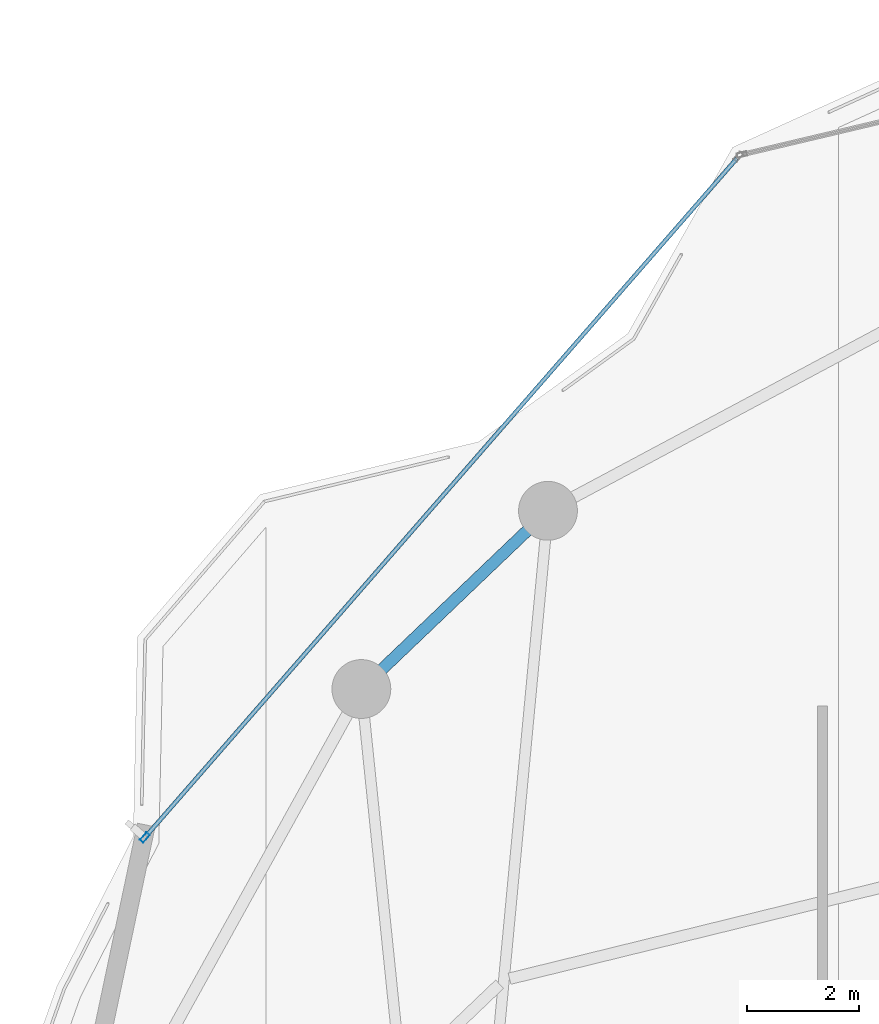
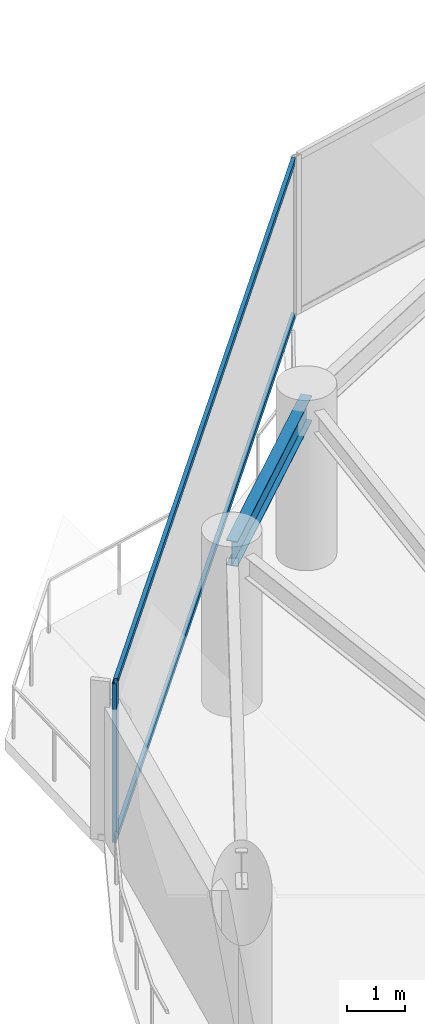
# One storey, part 16 of 28: 3 members, 1 beam, 1 element without a shape of its own.
"""IFC4 building model written with IfcOpenShell, lengths in metres."""

from ifc_helpers import new_model, si_unit, direction, frame, origin, origin_2d, place, context, subcontext, project, spatial, hollow_rectangle, i_section, extrude, material, layer, layer_set, material_profile, profile_set, type_object, element, aggregate, save


model = new_model("IFC4")

# Units and contexts
model_context = context("Model", 3, precision=1e-05, world=origin(), true_north=direction((0.0, 1.0)))
body_context = subcontext(model_context, "Body", "Model", "MODEL_VIEW")
ifc_project = project(units=[si_unit("LENGTHUNIT", "METRE"), si_unit("AREAUNIT", "SQUARE_METRE"), si_unit("VOLUMEUNIT", "CUBIC_METRE"), si_unit("PLANEANGLEUNIT", "RADIAN"), si_unit("MASSUNIT", "GRAM", prefix="KILO")], contexts=[model_context])

# Site, building, storey
site_placement = place(None, origin())
site = spatial("IfcSite", under=ifc_project, at=site_placement, CompositionType="ELEMENT")
building_placement = place(site_placement, origin())
building = spatial("IfcBuilding", under=site, at=building_placement, Name="Kazevale Care Tower and Concert Hall", CompositionType="ELEMENT")
storey_placement = place(building_placement, frame((0.0, 0.0, 246.0)))
storey = spatial("IfcBuildingStorey", under=building, at=storey_placement, Name="L65", CompositionType="ELEMENT", Elevation=246.0)

# Curtain wall, members
ifc_material_1 = material(Name="Aluminium 6063-T6 and Low-E Glass", Category="aluminium")
ifc_layer = layer(ifc_material_1, 0.179931640625)
ifc_layer_set = layer_set([ifc_layer], Name="Aluminium 6063-T6 and Low-E Glass")
curtain_wall_type = type_object("IfcCurtainWallType", Name="Convex Checkerboard Finned Curtain Wall CW-2", PredefinedType="NOTDEFINED", material=ifc_layer_set)
curtain_wall_placement = place(storey_placement, origin())
curtain_wall = element("IfcCurtainWall", 1, at=curtain_wall_placement, inside=storey, type_object=curtain_wall_type, Name="cw:L65:f14", PredefinedType="NOTDEFINED")
ifc_material_2 = material(Name="Aluminium 6063-T6", Category="aluminium")
ifc_material_profile_1 = material_profile(ifc_material_2, hollow_rectangle(XDim=0.080078125, YDim=0.179931640625, WallThickness=0.0048828125, at=origin_2d()), Name="ALU80x180x5")
ifc_profile_set_1 = profile_set([ifc_material_profile_1], Name="Aluminium 6063-T6")
member_type_1 = type_object("IfcMemberType", Name="CW-2 Mullion ALU80x180x5", PredefinedType="MULLION", material=ifc_profile_set_1)
member_1_placement = place(storey_placement, frame((16.55419921875, 49.17919921875, 0.0), z_axis=(0.0, 0.0, 1.0), x_axis=(-0.753738225685, 0.657174776708, 0.0)))
member_1 = element("IfcMember", 2, at=member_1_placement, type_object=member_type_1, Name="CW-2 mullion 1", PredefinedType="MULLION", context=body_context, shape_type="SweptSolid", body=[
    extrude(hollow_rectangle(XDim=0.080078125, YDim=0.179931640625, WallThickness=0.0048828125, at=origin_2d()), origin(), (0.0, 0.0, 1.0), 3.360107421875),
])
ifc_material_profile_2 = material_profile(ifc_material_2, hollow_rectangle(XDim=0.074951171875, YDim=0.1201171875, WallThickness=0.00390625, at=origin_2d()), Name="ALU75x120x4")
ifc_profile_set_2 = profile_set([ifc_material_profile_2], Name="Aluminium 6063-T6")
member_type_2 = type_object("IfcMemberType", Name="CW-2 Transom ALU75x120x4", PredefinedType="USERDEFINED", material=ifc_profile_set_2)
member_2_placement = place(storey_placement, frame((16.58056640625, 49.209228515625, 0.03759765625), z_axis=(0.657173569472, 0.753739278257, 0.0), x_axis=(-0.753739278257, 0.657173569472, 0.0)))
member_2 = element("IfcMember", 3, at=member_2_placement, type_object=member_type_2, Name="CW-2 transom 1.1", ObjectType="TRANSOM", PredefinedType="USERDEFINED", context=body_context, shape_type="SweptSolid", body=[
    extrude(hollow_rectangle(XDim=0.074951171875, YDim=0.1201171875, WallThickness=0.00390625, at=origin_2d()), origin(), (0.0, 0.0, 1.0), 16.03662109375),
])
member_3_placement = place(storey_placement, frame((16.58056640625, 49.209228515625, 3.322509765625), z_axis=(0.657173569472, 0.753739278257, 0.0), x_axis=(-0.753739278257, 0.657173569472, 0.0)))
member_3 = element("IfcMember", 4, at=member_3_placement, type_object=member_type_2, Name="CW-2 transom 1.2", ObjectType="TRANSOM", PredefinedType="USERDEFINED", context=body_context, shape_type="SweptSolid", body=[
    extrude(hollow_rectangle(XDim=0.074951171875, YDim=0.1201171875, WallThickness=0.00390625, at=origin_2d()), origin(), (0.0, 0.0, 1.0), 16.03662109375),
])
aggregate(curtain_wall, [member_1, member_2, member_3])

# Beam
ifc_material_3 = material(Name="Steel ASTM A572 Gr 50", Category="steel")
ifc_material_profile_3 = material_profile(ifc_material_3, i_section(OverallWidth=0.208984375, OverallDepth=0.532958984375, WebThickness=0.01025390625, FlangeThickness=0.015625, at=origin_2d()), Name="W530x92")
ifc_profile_set_3 = profile_set([ifc_material_profile_3], Name="Steel ASTM A572 Gr 50")
beam_type = type_object("IfcBeamType", Name="Upper Ring Beam W530x92", PredefinedType="BEAM", material=ifc_profile_set_3)
beam_placement = place(storey_placement, frame((23.75, 55.010009765625, 3.093505859375), z_axis=(-0.723223118589, -0.690614451585, 0.0), x_axis=(0.690614451585, -0.723223118589, 0.0)))
element("IfcBeam", 5, at=beam_placement, inside=storey, type_object=beam_type, Name="beam:L65:ring:07", PredefinedType="BEAM", context=body_context, shape_type="SweptSolid", body=[
    extrude(i_section(OverallWidth=0.208984375, OverallDepth=0.532958984375, WebThickness=0.01025390625, FlangeThickness=0.015625, at=origin_2d()), origin(), (0.0, 0.0, 1.0), 4.6044921875),
])

save(model, "model.ifc")
